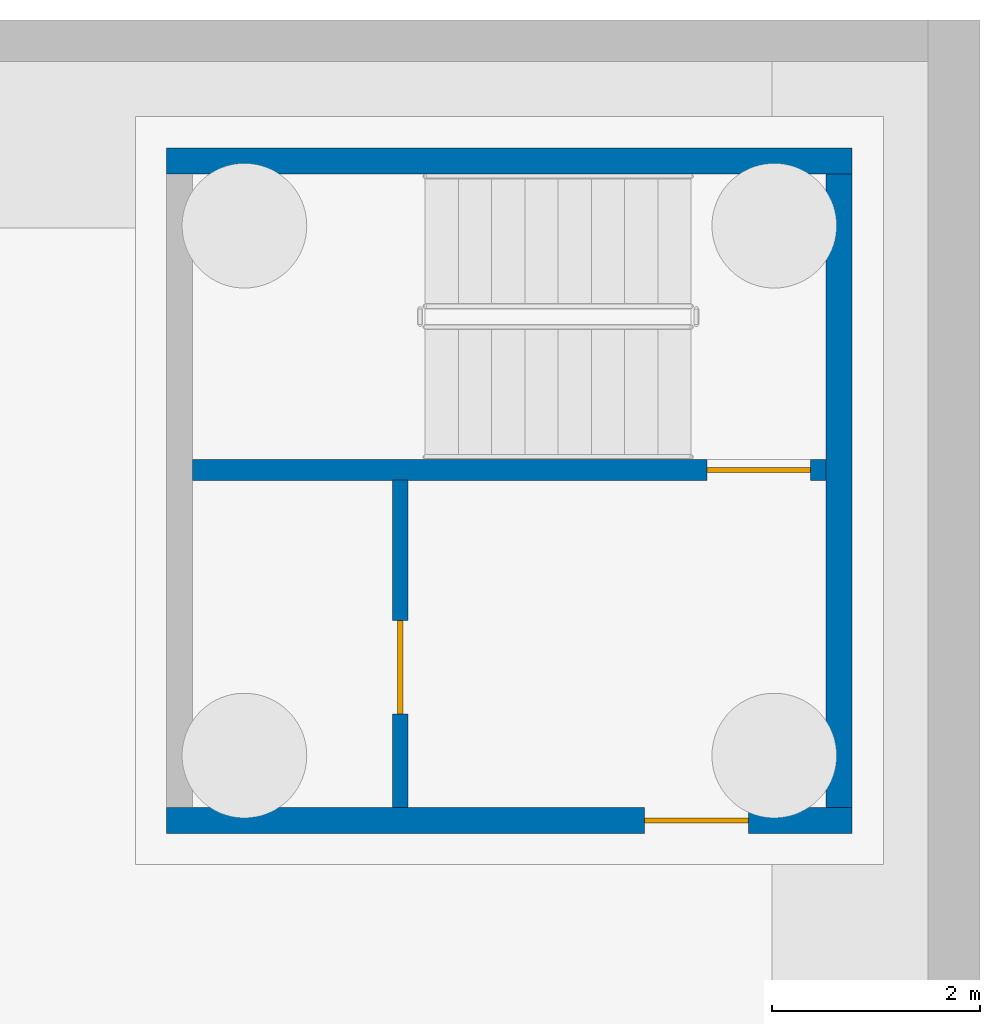
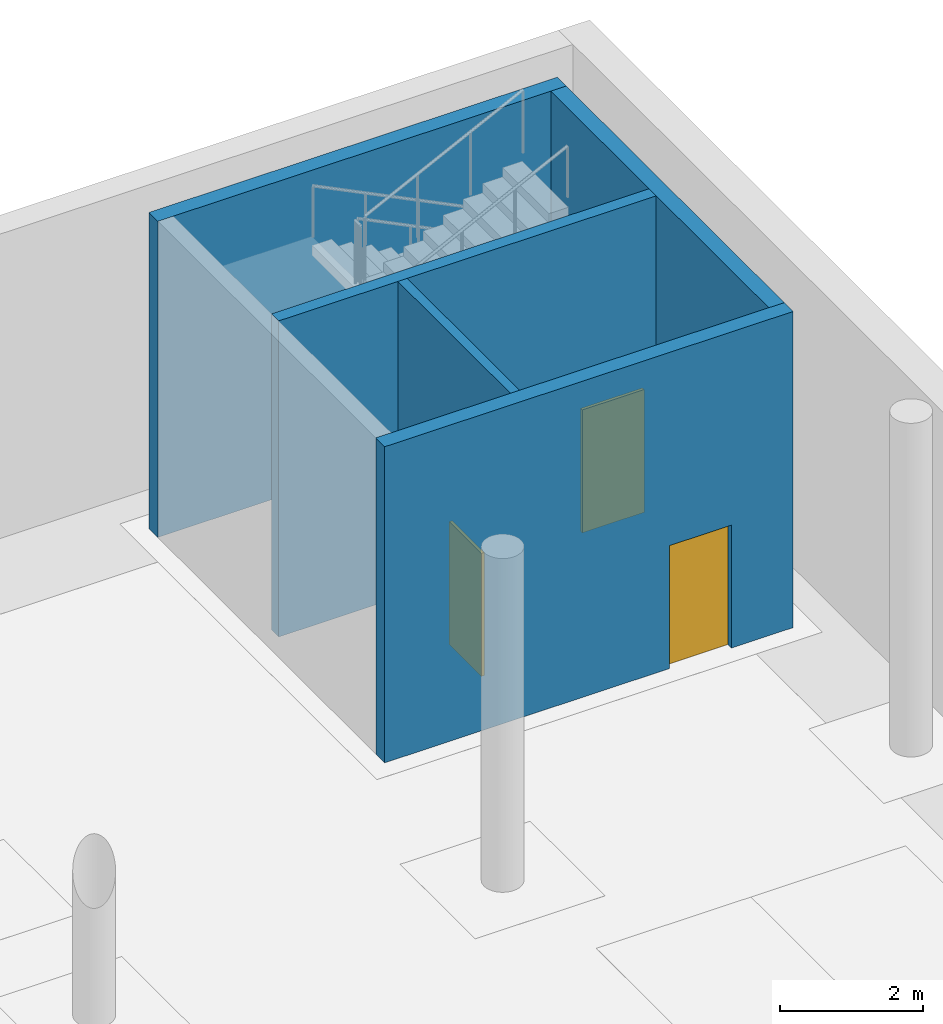
# One storey, part 19 of 38: 5 walls, 3 doors, 3 openings.
"""IFC4 building model written with IfcOpenShell, lengths in metres."""

from ifc_helpers import new_model, si_unit, direction, frame, frame_2d, origin, place, context, subcontext, project, spatial, rectangle, extrude, material, layer, layer_set, type_object, element, fill, save


model = new_model("IFC4")

# Units and contexts
model_context = context("Model", 3, precision=1e-05, world=origin(), true_north=direction((0.0, 1.0)))
body_context = subcontext(model_context, "Body", "Model", "MODEL_VIEW")
ifc_project = project(units=[si_unit("LENGTHUNIT", "METRE"), si_unit("AREAUNIT", "SQUARE_METRE"), si_unit("VOLUMEUNIT", "CUBIC_METRE"), si_unit("PLANEANGLEUNIT", "RADIAN"), si_unit("MASSUNIT", "GRAM", prefix="KILO")], contexts=[model_context])

# Site, building, storey
site_placement = place(None, origin())
site = spatial("IfcSite", under=ifc_project, at=site_placement, CompositionType="ELEMENT")
building_placement = place(site_placement, origin())
building = spatial("IfcBuilding", under=site, at=building_placement, Name="Lantern Court Research Institute", CompositionType="ELEMENT")
storey_placement = place(building_placement, frame((0.0, 0.0, -5.699951171875)))
storey = spatial("IfcBuildingStorey", under=building, at=storey_placement, Name="B1", CompositionType="ELEMENT", Elevation=-5.699951171875)

# Wall, opening, door
ifc_material_1 = material(Name="Concrete C40/50", Category="concrete")
ifc_layer_1 = layer(ifc_material_1, 0.25)
ifc_layer_set_1 = layer_set([ifc_layer_1], Name="Concrete C40/50")
wall_type_1 = type_object("IfcWallType", Name="RC core wall 250", PredefinedType="SHEAR", material=ifc_layer_set_1)
wall_1_placement = place(storey_placement, frame((72.60009765625, 92.52490234375, 0.0), z_axis=(0.0, 0.0, 1.0), x_axis=(1.0, 0.0, 0.0)))
wall_1 = element("IfcWall", 1, at=wall_1_placement, inside=storey, type_object=wall_type_1, Name="South wall of core WC-E", PredefinedType="SHEAR", context=body_context, shape_type="SweptSolid", body=[
    extrude(rectangle(XDim=6.599853515625, YDim=0.25, at=frame_2d((3.2998046875, 0.0))), origin(), (0.0, 0.0, 1.0), 5.39990234375),
])
opening_1_placement = place(wall_1_placement, frame((4.60009765625, 0.0, 0.0)))
opening_1 = element("IfcOpeningElement", 2, at=opening_1_placement, cuts=wall_1, Name="Opening D7255", PredefinedType="OPENING", context=body_context, shape_type="SweptSolid", body=[
    extrude(rectangle(XDim=1.0, YDim=2.10009765625, at=frame_2d((0.5, 1.050048828125))), frame((0.0, 0.135009765625, 0.0), z_axis=(0.0, -1.0, 0.0), x_axis=(1.0, 0.0, 0.0)), (0.0, 0.0, 1.0), 0.27001953125),
])
ifc_material_2 = material(Name="Steel fire door leaf with smoke seals", Category="steel")
door_type_1 = type_object("IfcDoorType", Name="Door 1000 x 2100 fire rated FD60S", OperationType="NOTDEFINED", PredefinedType="DOOR", material=ifc_material_2)
door_1_placement = place(opening_1_placement, origin())
door_1 = element("IfcDoor", 3, at=door_1_placement, inside=storey, type_object=door_type_1, Name="Lobby door", OperationType="SINGLE_SWING_LEFT", OverallHeight=2.10009765625, OverallWidth=1.0, PredefinedType="DOOR", context=body_context, shape_type="SweptSolid", body=[
    extrude(rectangle(XDim=1.0, YDim=2.10009765625, at=frame_2d((0.5, 1.050048828125))), frame((0.0, 0.02490234375, 0.0), z_axis=(0.0, -1.0, 0.0), x_axis=(1.0, 0.0, 0.0)), (0.0, 0.0, 1.0), 0.050048828125),
])
fill(opening_1, door_1)

# Walls
wall_2_placement = place(storey_placement, frame((72.60009765625, 98.875, 0.0), z_axis=(0.0, 0.0, 1.0), x_axis=(1.0, 0.0, 0.0)))
element("IfcWall", 4, at=wall_2_placement, inside=storey, type_object=wall_type_1, Name="North wall of core WC-E", PredefinedType="SHEAR", context=body_context, shape_type="SweptSolid", body=[
    extrude(rectangle(XDim=6.599853515625, YDim=0.25, at=frame_2d((3.2998046875, 0.0))), origin(), (0.0, 0.0, 1.0), 5.39990234375),
])
wall_3_placement = place(storey_placement, frame((79.074951171875, 92.64990234375, 0.0), z_axis=(0.0, 0.0, 1.0), x_axis=(0.0, 1.0, 0.0)))
element("IfcWall", 5, at=wall_3_placement, inside=storey, type_object=wall_type_1, Name="East wall of core WC-E", PredefinedType="SHEAR", context=body_context, shape_type="SweptSolid", body=[
    extrude(rectangle(XDim=6.10009765625, YDim=0.25, at=frame_2d((3.050048828125, 0.0))), origin(), (0.0, 0.0, 1.0), 5.39990234375),
])

# Wall, opening, door
ifc_material_3 = material(Name="Concrete C40/50", Category="concrete")
ifc_layer_2 = layer(ifc_material_3, 0.14990234375)
ifc_layer_set_2 = layer_set([ifc_layer_2], Name="Concrete C40/50")
wall_type_2 = type_object("IfcWallType", Name="RC shaft wall 150", PredefinedType="SHEAR", material=ifc_layer_set_2)
wall_4_placement = place(storey_placement, frame((74.85009765625, 92.64990234375, 0.0), z_axis=(0.0, 0.0, 1.0), x_axis=(0.0, 1.0, 0.0)))
wall_4 = element("IfcWall", 6, at=wall_4_placement, inside=storey, type_object=wall_type_2, Name="Riser wall of core WC-E", PredefinedType="SHEAR", context=body_context, shape_type="SweptSolid", body=[
    extrude(rectangle(XDim=3.150146484375, YDim=0.14990234375, at=frame_2d((1.5751953125, 0.0))), origin(), (0.0, 0.0, 1.0), 5.39990234375),
])
opening_2_placement = place(wall_4_placement, frame((0.89990234375, 0.0, 0.0)))
opening_2 = element("IfcOpeningElement", 7, at=opening_2_placement, cuts=wall_4, Name="Opening D7254", PredefinedType="OPENING", context=body_context, shape_type="SweptSolid", body=[
    extrude(rectangle(XDim=0.89990234375, YDim=2.10009765625, at=frame_2d((0.449951171875, 1.050048828125))), frame((0.0, 0.0849609375, 0.0), z_axis=(0.0, -1.0, 0.0), x_axis=(1.0, 0.0, 0.0)), (0.0, 0.0, 1.0), 0.169921875),
])
ifc_material_4 = material(Name="Steel fire door leaf", Category="steel")
door_type_2 = type_object("IfcDoorType", Name="Door 900 x 2100 fire rated FD60", OperationType="NOTDEFINED", PredefinedType="DOOR", material=ifc_material_4)
door_2_placement = place(opening_2_placement, origin())
door_2 = element("IfcDoor", 8, at=door_2_placement, inside=storey, type_object=door_type_2, Name="Riser door", OperationType="SINGLE_SWING_LEFT", OverallHeight=2.10009765625, OverallWidth=0.89990234375, PredefinedType="DOOR", context=body_context, shape_type="SweptSolid", body=[
    extrude(rectangle(XDim=0.89990234375, YDim=2.10009765625, at=frame_2d((0.449951171875, 1.050048828125))), frame((0.0, 0.02490234375, 0.0), z_axis=(0.0, -1.0, 0.0), x_axis=(1.0, 0.0, 0.0)), (0.0, 0.0, 1.0), 0.050048828125),
])
fill(opening_2, door_2)

ifc_material_5 = material(Name="Concrete C40/50", Category="concrete")
ifc_layer_3 = layer(ifc_material_5, 0.199951171875)
ifc_layer_set_3 = layer_set([ifc_layer_3], Name="Concrete C40/50")
wall_type_3 = type_object("IfcWallType", Name="RC shaft wall 200", PredefinedType="SHEAR", material=ifc_layer_set_3)
wall_5_placement = place(storey_placement, frame((72.85009765625, 95.89990234375, 0.0), z_axis=(0.0, 0.0, 1.0), x_axis=(1.0, 0.0, 0.0)))
wall_5 = element("IfcWall", 9, at=wall_5_placement, inside=storey, type_object=wall_type_3, Name="Stair wall of core WC-E", PredefinedType="SHEAR", context=body_context, shape_type="SweptSolid", body=[
    extrude(rectangle(XDim=6.099853515625, YDim=0.199951171875, at=frame_2d((3.0498046875, 0.0))), origin(), (0.0, 0.0, 1.0), 5.39990234375),
])
opening_3_placement = place(wall_5_placement, frame((4.949951171875, 0.0, 0.0)))
opening_3 = element("IfcOpeningElement", 10, at=opening_3_placement, cuts=wall_5, Name="Opening D7256", PredefinedType="OPENING", context=body_context, shape_type="SweptSolid", body=[
    extrude(rectangle(XDim=1.0, YDim=2.10009765625, at=frame_2d((0.5, 1.050048828125))), frame((0.0, 0.10986328125, 0.0), z_axis=(0.0, -1.0, 0.0), x_axis=(1.0, 0.0, 0.0)), (0.0, 0.0, 1.0), 0.219970703125),
])
door_3_placement = place(opening_3_placement, origin())
door_3 = element("IfcDoor", 11, at=door_3_placement, inside=storey, type_object=door_type_1, Name="Stair door", OperationType="SINGLE_SWING_LEFT", OverallHeight=2.10009765625, OverallWidth=1.0, PredefinedType="DOOR", context=body_context, shape_type="SweptSolid", body=[
    extrude(rectangle(XDim=1.0, YDim=2.10009765625, at=frame_2d((0.5, 1.050048828125))), frame((0.0, 0.02490234375, 0.0), z_axis=(0.0, -1.0, 0.0), x_axis=(1.0, 0.0, 0.0)), (0.0, 0.0, 1.0), 0.050048828125),
])
fill(opening_3, door_3)

save(model, "model.ifc")
